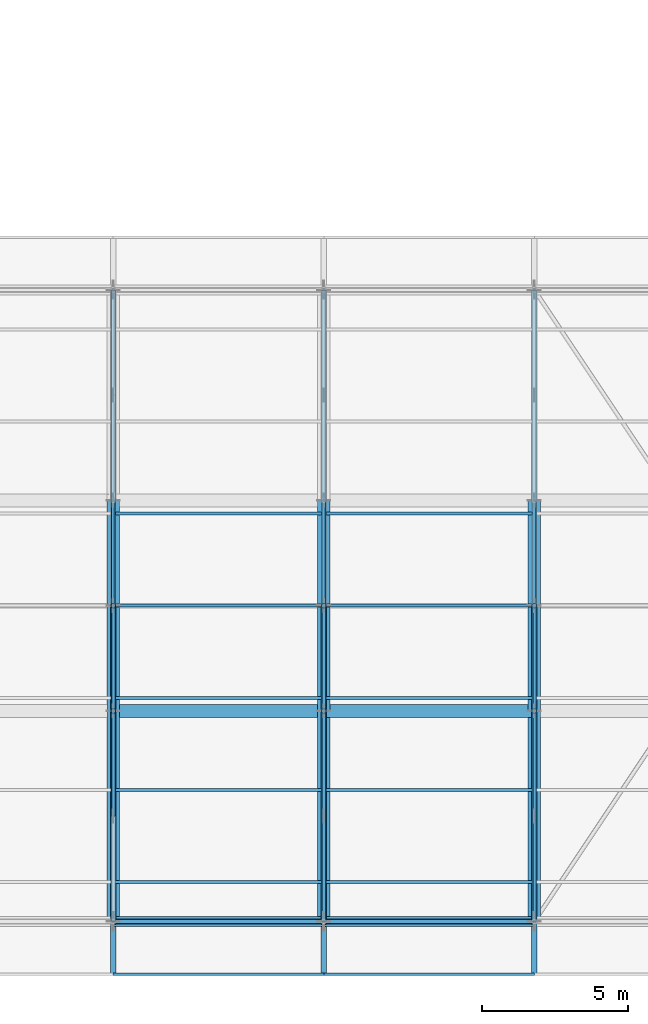
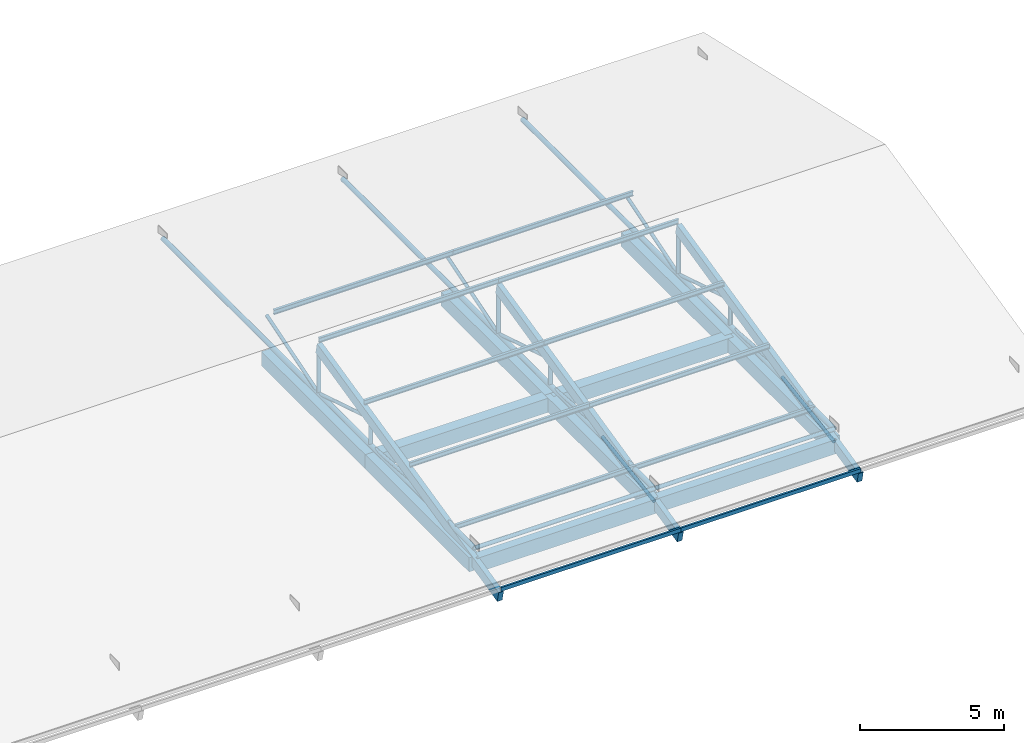
# One storey, part 55 of 93: 37 members, 10 beams.
"""IFC4 building model written with IfcOpenShell, lengths in metres."""

from ifc_helpers import new_model, si_unit, direction, frame, origin, origin_2d, place, context, subcontext, project, spatial, rectangle, hollow_rectangle, hollow_circle, i_section, extrude, material, material_profile, profile_set, type_object, element, save


model = new_model("IFC4")

# Units and contexts
model_context = context("Model", 3, precision=1e-05, world=origin(), true_north=direction((0.0, 1.0)))
body_context = subcontext(model_context, "Body", "Model", "MODEL_VIEW")
ifc_project = project(units=[si_unit("LENGTHUNIT", "METRE"), si_unit("AREAUNIT", "SQUARE_METRE"), si_unit("VOLUMEUNIT", "CUBIC_METRE"), si_unit("PLANEANGLEUNIT", "RADIAN"), si_unit("MASSUNIT", "GRAM", prefix="KILO")], contexts=[model_context])

# Site, building, storey
site_placement = place(None, origin())
site = spatial("IfcSite", under=ifc_project, at=site_placement, CompositionType="ELEMENT")
building_placement = place(site_placement, origin())
building = spatial("IfcBuilding", under=site, at=building_placement, Name="Zornivar Specialist Clinic", CompositionType="ELEMENT")
storey_placement = place(building_placement, frame((0.0, 0.0, 8.39990234375)))
storey = spatial("IfcBuildingStorey", under=building, at=storey_placement, Name="L02", CompositionType="ELEMENT", Elevation=8.39990234375)

# Beams
ifc_material_1 = material(Name="Concrete C30/37", Category="concrete")
ifc_material_profile_1 = material_profile(ifc_material_1, rectangle(XDim=0.43994140625, YDim=0.60009765625, at=origin_2d()), Name="RC 440x600")
ifc_profile_set_1 = profile_set([ifc_material_profile_1], Name="Concrete C30/37")
beam_type_1 = type_object("IfcBeamType", Name="BM-RC-440x600", PredefinedType="BEAM", material=ifc_profile_set_1)
for number, where, z_axis, x_axis, name in (
    (1, (144.0, 7.199951171875, -0.2998046875), (1.0, 0.0, 0.0), (0.0, 1.0, 0.0), "bm:V4:L02:x:72:3"),
    (2, (151.199951171875, 7.199951171875, -0.2998046875), (1.0, 0.0, 0.0), (0.0, 1.0, 0.0), "bm:V4:L02:x:72:4"),
    (3, (144.0, 0.0, -0.2998046875), (0.0, 1.0, 0.0), (-1.0, 0.0, 0.0), "bm:V4:L02:y:1440:0"),
    (4, (144.0, 7.199951171875, -0.2998046875), (0.0, 1.0, 0.0), (-1.0, 0.0, 0.0), "bm:V4:L02:y:1440:1"),
    (5, (151.199951171875, 0.0, -0.2998046875), (0.0, 1.0, 0.0), (-1.0, 0.0, 0.0), "bm:V4:L02:y:1512:0"),
    (6, (151.199951171875, 7.199951171875, -0.2998046875), (0.0, 1.0, 0.0), (-1.0, 0.0, 0.0), "bm:V4:L02:y:1512:1"),
    (7, (158.39990234375, 0.0, -0.2998046875), (0.0, 1.0, 0.0), (-1.0, 0.0, 0.0), "bm:V4:L02:y:1584:0"),
    (8, (158.39990234375, 7.199951171875, -0.2998046875), (0.0, 1.0, 0.0), (-1.0, 0.0, 0.0), "bm:V4:L02:y:1584:1"),
):
    element("IfcBeam", number, at=place(storey_placement, frame(where, z_axis=z_axis, x_axis=x_axis)), inside=storey, type_object=beam_type_1, Name=name, PredefinedType="BEAM", context=body_context, shape_type="SweptSolid", body=[
        extrude(rectangle(XDim=0.43994140625, YDim=0.60009765625, at=origin_2d()), origin(), (0.0, 0.0, 1.0), 7.199951171875),
    ])
ifc_material_2 = material(Name="Concrete C30/37", Category="concrete")
ifc_material_profile_2 = material_profile(ifc_material_2, rectangle(XDim=0.35009765625, YDim=0.60009765625, at=origin_2d()), Name="RC 350x600")
ifc_profile_set_2 = profile_set([ifc_material_profile_2], Name="Concrete C30/37")
beam_type_2 = type_object("IfcBeamType", Name="BM-RC-SPANDREL-350x600", PredefinedType="SPANDREL", material=ifc_profile_set_2)
for number, where, z_axis, x_axis, name in (
    (9, (144.0, 0.0, -0.2998046875), (1.0, 0.0, 0.0), (0.0, 1.0, 0.0), "bm:V4:L02:x:0:3"),
    (10, (151.199951171875, 0.0, -0.2998046875), (1.0, 0.0, 0.0), (0.0, 1.0, 0.0), "bm:V4:L02:x:0:4"),
):
    element("IfcBeam", number, at=place(storey_placement, frame(where, z_axis=z_axis, x_axis=x_axis)), inside=storey, type_object=beam_type_2, Name=name, PredefinedType="SPANDREL", context=body_context, shape_type="SweptSolid", body=[
        extrude(rectangle(XDim=0.35009765625, YDim=0.60009765625, at=origin_2d()), origin(), (0.0, 0.0, 1.0), 7.199951171875),
    ])

# Members
ifc_material_3 = material(Name="Steel S355J2", Category="steel")
ifc_material_profile_3 = material_profile(ifc_material_3, hollow_circle(Radius=0.096923828125, WallThickness=0.010009765625, at=origin_2d()), Name="CHS 193.7x10")
ifc_profile_set_3 = profile_set([ifc_material_profile_3], Name="Steel S355J2")
member_type_1 = type_object("IfcMemberType", Name="MEM-CHORD-CHS194", PredefinedType="CHORD", material=ifc_profile_set_3)
for number, where, z_axis, x_axis, name in (
    (11, (144.0, 0.0, 0.340087890625), (0.0, 1.0, 0.0), (-1.0, 0.0, 0.0), "mem:V4:L02:bchord:3"),
    (12, (151.199951171875, 0.0, 0.340087890625), (0.0, 1.0, 0.0), (-1.0, 0.0, 0.0), "mem:V4:L02:bchord:4"),
    (13, (158.39990234375, 0.0, 0.340087890625), (0.0, 1.0, 0.0), (-1.0, 0.0, 0.0), "mem:V4:L02:bchord:5"),
):
    element("IfcMember", number, at=place(storey_placement, frame(where, z_axis=z_axis, x_axis=x_axis)), inside=storey, type_object=member_type_1, Name=name, PredefinedType="CHORD", context=body_context, shape_type="SweptSolid", body=[
        extrude(hollow_circle(Radius=0.096923828125, WallThickness=0.010009765625, at=origin_2d()), origin(), (0.0, 0.0, 1.0), 21.60009765625),
    ])
ifc_material_4 = material(Name="Steel S355J2", Category="steel")
ifc_material_profile_4 = material_profile(ifc_material_4, hollow_circle(Radius=0.06982421875, WallThickness=0.008056640625, at=origin_2d()), Name="CHS 139.7x8")
ifc_profile_set_4 = profile_set([ifc_material_profile_4], Name="Steel S355J2")
member_type_2 = type_object("IfcMemberType", Name="MEM-DIAG-CHS140", PredefinedType="BRACE", material=ifc_profile_set_4)
member_1_placement = place(storey_placement, frame((144.0, 10.800048828125, 0.340087890625), z_axis=(0.0, -0.955308543941, 0.29561053072), x_axis=(1.0, 0.0, 0.0)))
element("IfcMember", 14, at=member_1_placement, inside=storey, type_object=member_type_2, Name="mem:V4:L02:diag:3:S:0", PredefinedType="BRACE", context=body_context, shape_type="SweptSolid", body=[
    extrude(hollow_circle(Radius=0.06982421875, WallThickness=0.008056640625, at=origin_2d()), origin(), (0.0, 0.0, 1.0), 3.7685546875),
])
member_2_placement = place(storey_placement, frame((144.0, 7.199951171875, 0.340087890625), z_axis=(0.0, -0.996882634823, 0.0788987477), x_axis=(1.0, 0.0, 0.0)))
element("IfcMember", 15, at=member_2_placement, inside=storey, type_object=member_type_2, Name="mem:V4:L02:diag:3:S:1", PredefinedType="BRACE", context=body_context, shape_type="SweptSolid", body=[
    extrude(hollow_circle(Radius=0.06982421875, WallThickness=0.008056640625, at=origin_2d()), origin(), (0.0, 0.0, 1.0), 3.611083984375),
])
member_3_placement = place(storey_placement, frame((144.0, 10.800048828125, 0.340087890625), z_axis=(0.0, 0.955302882206, 0.295628826823), x_axis=(-1.0, 0.0, 0.0)))
element("IfcMember", 16, at=member_3_placement, inside=storey, type_object=member_type_2, Name="mem:V4:L02:diag:3:N:0", PredefinedType="BRACE", context=body_context, shape_type="SweptSolid", body=[
    extrude(hollow_circle(Radius=0.06982421875, WallThickness=0.008056640625, at=origin_2d()), origin(), (0.0, 0.0, 1.0), 3.768310546875),
])
member_4_placement = place(storey_placement, frame((151.199951171875, 10.800048828125, 0.340087890625), z_axis=(0.0, -0.955308543941, 0.29561053072), x_axis=(1.0, 0.0, 0.0)))
element("IfcMember", 17, at=member_4_placement, inside=storey, type_object=member_type_2, Name="mem:V4:L02:diag:4:S:0", PredefinedType="BRACE", context=body_context, shape_type="SweptSolid", body=[
    extrude(hollow_circle(Radius=0.06982421875, WallThickness=0.008056640625, at=origin_2d()), origin(), (0.0, 0.0, 1.0), 3.7685546875),
])
member_5_placement = place(storey_placement, frame((151.199951171875, 7.199951171875, 0.340087890625), z_axis=(0.0, -0.996882634823, 0.0788987477), x_axis=(1.0, 0.0, 0.0)))
element("IfcMember", 18, at=member_5_placement, inside=storey, type_object=member_type_2, Name="mem:V4:L02:diag:4:S:1", PredefinedType="BRACE", context=body_context, shape_type="SweptSolid", body=[
    extrude(hollow_circle(Radius=0.06982421875, WallThickness=0.008056640625, at=origin_2d()), origin(), (0.0, 0.0, 1.0), 3.611083984375),
])
member_6_placement = place(storey_placement, frame((151.199951171875, 10.800048828125, 0.340087890625), z_axis=(0.0, 0.955302882206, 0.295628826823), x_axis=(-1.0, 0.0, 0.0)))
element("IfcMember", 19, at=member_6_placement, inside=storey, type_object=member_type_2, Name="mem:V4:L02:diag:4:N:0", PredefinedType="BRACE", context=body_context, shape_type="SweptSolid", body=[
    extrude(hollow_circle(Radius=0.06982421875, WallThickness=0.008056640625, at=origin_2d()), origin(), (0.0, 0.0, 1.0), 3.768310546875),
])
member_7_placement = place(storey_placement, frame((158.39990234375, 10.800048828125, 0.340087890625), z_axis=(0.0, -0.955308543941, 0.29561053072), x_axis=(1.0, 0.0, 0.0)))
element("IfcMember", 20, at=member_7_placement, inside=storey, type_object=member_type_2, Name="mem:V4:L02:diag:5:S:0", PredefinedType="BRACE", context=body_context, shape_type="SweptSolid", body=[
    extrude(hollow_circle(Radius=0.06982421875, WallThickness=0.008056640625, at=origin_2d()), origin(), (0.0, 0.0, 1.0), 3.7685546875),
])
member_8_placement = place(storey_placement, frame((158.39990234375, 7.199951171875, 0.340087890625), z_axis=(0.0, -0.996882634823, 0.0788987477), x_axis=(1.0, 0.0, 0.0)))
element("IfcMember", 21, at=member_8_placement, inside=storey, type_object=member_type_2, Name="mem:V4:L02:diag:5:S:1", PredefinedType="BRACE", context=body_context, shape_type="SweptSolid", body=[
    extrude(hollow_circle(Radius=0.06982421875, WallThickness=0.008056640625, at=origin_2d()), origin(), (0.0, 0.0, 1.0), 3.611083984375),
])
member_9_placement = place(storey_placement, frame((158.39990234375, 10.800048828125, 0.340087890625), z_axis=(0.0, 0.955302882206, 0.295628826823), x_axis=(-1.0, 0.0, 0.0)))
element("IfcMember", 22, at=member_9_placement, inside=storey, type_object=member_type_2, Name="mem:V4:L02:diag:5:N:0", PredefinedType="BRACE", context=body_context, shape_type="SweptSolid", body=[
    extrude(hollow_circle(Radius=0.06982421875, WallThickness=0.008056640625, at=origin_2d()), origin(), (0.0, 0.0, 1.0), 3.768310546875),
])
ifc_material_5 = material(Name="Steel S355J2", Category="steel")
ifc_material_profile_5 = material_profile(ifc_material_5, hollow_circle(Radius=0.06982421875, WallThickness=0.010009765625, at=origin_2d()), Name="CHS 139.7x10")
ifc_profile_set_5 = profile_set([ifc_material_profile_5], Name="Steel S355J2")
member_type_3 = type_object("IfcMemberType", Name="MEM-DIAG-CHS140H", PredefinedType="BRACE", material=ifc_profile_set_5)
for number, where, z_axis, x_axis, name in (
    (23, (151.199951171875, 3.60009765625, 0.340087890625), (0.0, -0.988817004891, -0.149133935906), (1.0, 0.0, 0.0), "mem:V4:L02:diag:4:S:2"),
    (24, (158.39990234375, 3.60009765625, 0.340087890625), (0.0, -0.988817004891, -0.149133935906), (1.0, 0.0, 0.0), "mem:V4:L02:diag:5:S:2"),
):
    element("IfcMember", number, at=place(storey_placement, frame(where, z_axis=z_axis, x_axis=x_axis)), inside=storey, type_object=member_type_3, Name=name, PredefinedType="BRACE", context=body_context, shape_type="SweptSolid", body=[
        extrude(hollow_circle(Radius=0.06982421875, WallThickness=0.010009765625, at=origin_2d()), origin(), (0.0, 0.0, 1.0), 3.640869140625),
    ])
ifc_material_6 = material(Name="Steel S355J2", Category="steel")
ifc_material_profile_6 = material_profile(ifc_material_6, hollow_rectangle(XDim=0.080078125, YDim=0.159912109375, WallThickness=0.008056640625, at=origin_2d()), Name="RHS 160x80x8")
ifc_profile_set_6 = profile_set([ifc_material_profile_6], Name="Steel S355J2")
member_type_4 = type_object("IfcMemberType", Name="MEM-EAVE-RHS160", PredefinedType="USERDEFINED", material=ifc_profile_set_6)
for number, where, z_axis, x_axis, name in (
    (25, (144.0, -1.800048828125, -0.305908203125), (1.0, 0.0, 0.0), (0.0, 1.0, 0.0), "mem:V4:L02:purl:3:00"),
    (26, (151.199951171875, -1.800048828125, -0.305908203125), (1.0, 0.0, 0.0), (0.0, 1.0, 0.0), "mem:V4:L02:purl:4:00"),
):
    element("IfcMember", number, at=place(storey_placement, frame(where, z_axis=z_axis, x_axis=x_axis)), inside=storey, type_object=member_type_4, Name=name, ObjectType="EAVE RAFTER", PredefinedType="USERDEFINED", context=body_context, shape_type="SweptSolid", body=[
        extrude(hollow_rectangle(XDim=0.080078125, YDim=0.159912109375, WallThickness=0.008056640625, at=origin_2d()), origin(), (0.0, 0.0, 1.0), 7.199951171875),
    ])
ifc_material_7 = material(Name="Steel S355J2", Category="steel")
ifc_material_profile_7 = material_profile(ifc_material_7, hollow_circle(Radius=0.084228515625, WallThickness=0.012451171875, at=origin_2d()), Name="CHS 168.3x12.5")
ifc_profile_set_7 = profile_set([ifc_material_profile_7], Name="Steel S355J2")
member_type_5 = type_object("IfcMemberType", Name="MEM-KING-CHS168H", PredefinedType="STRUT", material=ifc_profile_set_7)
for number, where, z_axis, x_axis, name in (
    (27, (144.0, 10.800048828125, 0.340087890625), (0.0, 0.0, 1.0), (1.0, 0.0, 0.0), "mem:V4:L02:king:3"),
    (28, (151.199951171875, 10.800048828125, 0.340087890625), (0.0, 0.0, 1.0), (1.0, 0.0, 0.0), "mem:V4:L02:king:4"),
    (29, (158.39990234375, 10.800048828125, 0.340087890625), (0.0, 0.0, 1.0), (1.0, 0.0, 0.0), "mem:V4:L02:king:5"),
):
    element("IfcMember", number, at=place(storey_placement, frame(where, z_axis=z_axis, x_axis=x_axis)), inside=storey, type_object=member_type_5, Name=name, PredefinedType="STRUT", context=body_context, shape_type="SweptSolid", body=[
        extrude(hollow_circle(Radius=0.084228515625, WallThickness=0.012451171875, at=origin_2d()), origin(), (0.0, 0.0, 1.0), 1.94189453125),
    ])
ifc_material_8 = material(Name="Steel S355J2", Category="steel")
ifc_material_profile_8 = material_profile(ifc_material_8, i_section(OverallWidth=0.10009765625, OverallDepth=0.199951171875, WebThickness=0.005615234375, FlangeThickness=0.008544921875, FilletRadius=0.011962890625, at=origin_2d()), Name="IPE 200")
ifc_profile_set_8 = profile_set([ifc_material_profile_8], Name="Steel S355J2")
member_type_6 = type_object("IfcMemberType", Name="MEM-PURLIN-IPE200", PredefinedType="PURLIN", material=ifc_profile_set_8)
for number, where, z_axis, x_axis, name in (
    (30, (144.0, 1.35009765625, 0.419189453125), (1.0, 0.0, 0.0), (0.0, 1.0, 0.0), "mem:V4:L02:purl:3:01"),
    (31, (144.0, 4.5, 1.14404296875), (1.0, 0.0, 0.0), (0.0, 1.0, 0.0), "mem:V4:L02:purl:3:02"),
    (32, (144.0, 7.64990234375, 1.869140625), (1.0, 0.0, 0.0), (0.0, 1.0, 0.0), "mem:V4:L02:purl:3:03"),
    (33, (144.0, 10.800048828125, 2.593994140625), (1.0, 0.0, 0.0), (0.0, 1.0, 0.0), "mem:V4:L02:purl:3:04"),
    (34, (144.0, 13.949951171875, 1.869140625), (1.0, 0.0, 0.0), (0.0, 1.0, 0.0), "mem:V4:L02:purl:3:05"),
    (35, (151.199951171875, 1.35009765625, 0.419189453125), (1.0, 0.0, 0.0), (0.0, 1.0, 0.0), "mem:V4:L02:purl:4:01"),
    (36, (151.199951171875, 4.5, 1.14404296875), (1.0, 0.0, 0.0), (0.0, 1.0, 0.0), "mem:V4:L02:purl:4:02"),
    (37, (151.199951171875, 7.64990234375, 1.869140625), (1.0, 0.0, 0.0), (0.0, 1.0, 0.0), "mem:V4:L02:purl:4:03"),
    (38, (151.199951171875, 10.800048828125, 2.593994140625), (1.0, 0.0, 0.0), (0.0, 1.0, 0.0), "mem:V4:L02:purl:4:04"),
    (39, (151.199951171875, 13.949951171875, 1.869140625), (1.0, 0.0, 0.0), (0.0, 1.0, 0.0), "mem:V4:L02:purl:4:05"),
):
    element("IfcMember", number, at=place(storey_placement, frame(where, z_axis=z_axis, x_axis=x_axis)), inside=storey, type_object=member_type_6, Name=name, PredefinedType="PURLIN", context=body_context, shape_type="SweptSolid", body=[
        extrude(i_section(OverallWidth=0.10009765625, OverallDepth=0.199951171875, WebThickness=0.005615234375, FlangeThickness=0.008544921875, FilletRadius=0.011962890625, at=origin_2d()), origin(), (0.0, 0.0, 1.0), 7.199951171875),
    ])
ifc_material_9 = material(Name="Glulam GL28h", Category="wood")
ifc_material_profile_9 = material_profile(ifc_material_9, rectangle(XDim=0.199951171875, YDim=0.43994140625, at=origin_2d()), Name="GL28h 200x440")
ifc_profile_set_9 = profile_set([ifc_material_profile_9], Name="Glulam GL28h")
member_type_7 = type_object("IfcMemberType", Name="MEM-RAFTER-GL440", PredefinedType="RAFTER", material=ifc_profile_set_9)
for number, where, z_axis, x_axis, name in (
    (40, (144.0, -1.800048828125, -0.617919921875), (0.0, 0.974523416147, 0.224285780604), (-1.0, 0.0, 0.0), "mem:V4:L02:rafS:3"),
    (41, (151.199951171875, -1.800048828125, -0.617919921875), (0.0, 0.974523416147, 0.224285780604), (-1.0, 0.0, 0.0), "mem:V4:L02:rafS:4"),
    (42, (158.39990234375, -1.800048828125, -0.617919921875), (0.0, 0.974523416147, 0.224285780604), (-1.0, 0.0, 0.0), "mem:V4:L02:rafS:5"),
):
    element("IfcMember", number, at=place(storey_placement, frame(where, z_axis=z_axis, x_axis=x_axis)), inside=storey, type_object=member_type_7, Name=name, PredefinedType="RAFTER", context=body_context, shape_type="SweptSolid", body=[
        extrude(rectangle(XDim=0.199951171875, YDim=0.43994140625, at=origin_2d()), origin(), (0.0, 0.0, 1.0), 12.929443359375),
    ])
ifc_material_10 = material(Name="Steel S355J2", Category="steel")
ifc_material_profile_10 = material_profile(ifc_material_10, hollow_circle(Radius=0.084228515625, WallThickness=0.010009765625, at=origin_2d()), Name="CHS 168.3x10")
ifc_profile_set_10 = profile_set([ifc_material_profile_10], Name="Steel S355J2")
member_type_8 = type_object("IfcMemberType", Name="MEM-STRUT-CHS168", PredefinedType="STRUT", material=ifc_profile_set_10)
for number, where, z_axis, x_axis, name in (
    (43, (144.0, 7.199951171875, 0.340087890625), (0.0, 0.0, 1.0), (1.0, 0.0, 0.0), "mem:V4:L02:vert:3:S:1"),
    (44, (151.199951171875, 7.199951171875, 0.340087890625), (0.0, 0.0, 1.0), (1.0, 0.0, 0.0), "mem:V4:L02:vert:4:S:1"),
    (45, (158.39990234375, 7.199951171875, 0.340087890625), (0.0, 0.0, 1.0), (1.0, 0.0, 0.0), "mem:V4:L02:vert:5:S:1"),
):
    element("IfcMember", number, at=place(storey_placement, frame(where, z_axis=z_axis, x_axis=x_axis)), inside=storey, type_object=member_type_8, Name=name, PredefinedType="STRUT", context=body_context, shape_type="SweptSolid", body=[
        extrude(hollow_circle(Radius=0.084228515625, WallThickness=0.010009765625, at=origin_2d()), origin(), (0.0, 0.0, 1.0), 1.114013671875),
    ])
for number, where, z_axis, x_axis, name in (
    (46, (144.0, 0.0, 0.340087890625), (1.0, 0.0, 0.0), (0.0, 1.0, 0.0), "mem:V4:L02:ltieS:3"),
    (47, (151.199951171875, 0.0, 0.340087890625), (1.0, 0.0, 0.0), (0.0, 1.0, 0.0), "mem:V4:L02:ltieS:4"),
):
    element("IfcMember", number, at=place(storey_placement, frame(where, z_axis=z_axis, x_axis=x_axis)), inside=storey, type_object=member_type_8, Name=name, PredefinedType="STRUT", context=body_context, shape_type="SweptSolid", body=[
        extrude(hollow_circle(Radius=0.084228515625, WallThickness=0.010009765625, at=origin_2d()), origin(), (0.0, 0.0, 1.0), 7.199951171875),
    ])

save(model, "model.ifc")
